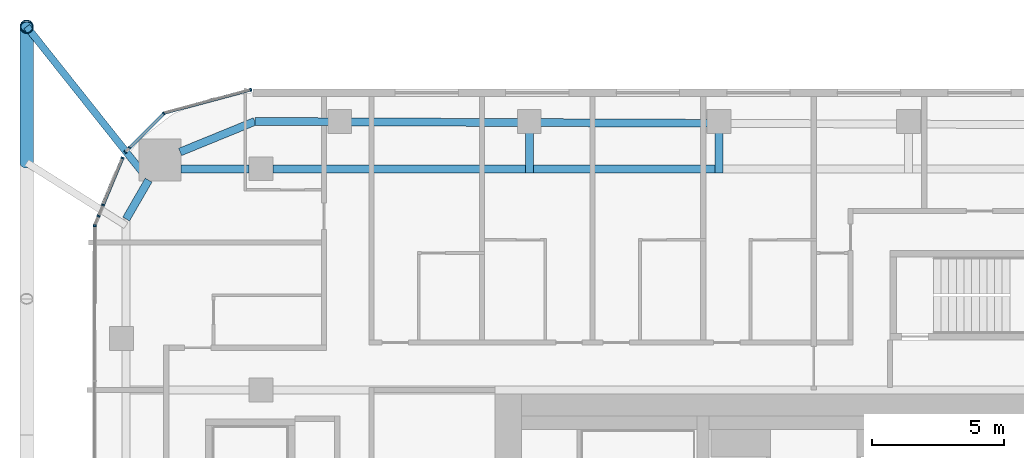
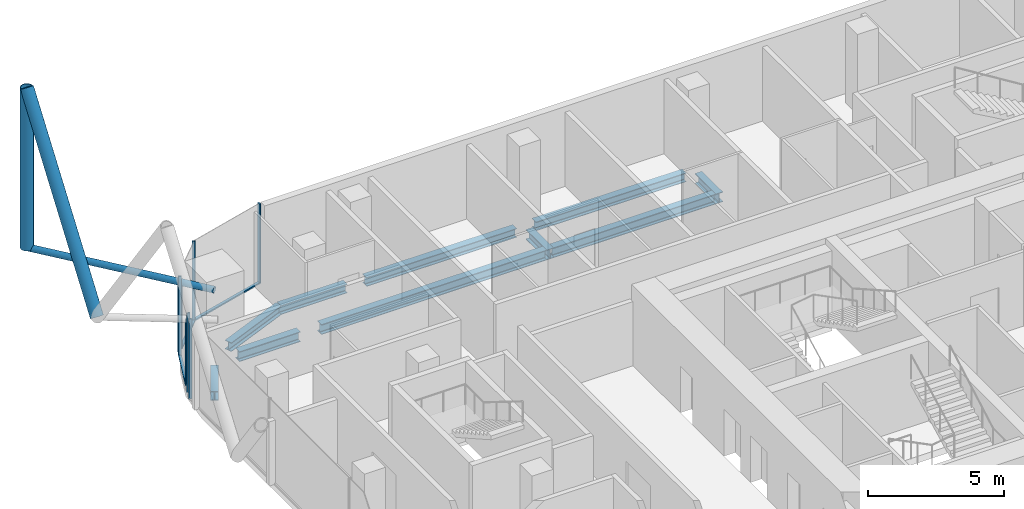
# One storey, part 11 of 36: 14 members, 10 beams, 7 elements without a shape of their own.
"""IFC4 building model written with IfcOpenShell, lengths in metres."""

from ifc_helpers import new_model, si_unit, direction, frame, origin, origin_2d, place, context, subcontext, project, spatial, rectangle, hollow_circle, i_section, extrude, material, layer, layer_set, material_profile, profile_set, type_object, element, aggregate, save


model = new_model("IFC4")

# Units and contexts
model_context = context("Model", 3, precision=1e-05, world=origin(), true_north=direction((0.0, 1.0)))
body_context = subcontext(model_context, "Body", "Model", "MODEL_VIEW")
ifc_project = project(units=[si_unit("LENGTHUNIT", "METRE"), si_unit("AREAUNIT", "SQUARE_METRE"), si_unit("VOLUMEUNIT", "CUBIC_METRE"), si_unit("PLANEANGLEUNIT", "RADIAN"), si_unit("MASSUNIT", "GRAM", prefix="KILO")], contexts=[model_context])

# Site, building, storey
site_placement = place(None, origin())
site = spatial("IfcSite", under=ifc_project, at=site_placement, CompositionType="ELEMENT")
building_placement = place(site_placement, origin())
building = spatial("IfcBuilding", under=site, at=building_placement, Name="Marenta Gate Hotel Tower", CompositionType="ELEMENT")
storey_placement = place(building_placement, frame((0.0, 0.0, 115.699951171875)))
storey = spatial("IfcBuildingStorey", under=building, at=storey_placement, Name="L25", CompositionType="ELEMENT", Elevation=115.699951171875)

# Members
ifc_material_1 = material(Name="Steel S355J2W", Category="steel")
ifc_material_profile_1 = material_profile(ifc_material_1, hollow_circle(Radius=0.25390625, WallThickness=0.02490234375, at=origin_2d()), Name="CHS 508x25")
ifc_profile_set_1 = profile_set([ifc_material_profile_1], Name="Steel S355J2W")
member_type_1 = type_object("IfcMemberType", Name="Diagrid corner post Z2 CHS 508x25", PredefinedType="POST", material=ifc_profile_set_1)
member_1_placement = place(storey_placement, frame((-29.89990234375, 30.60009765625, 3.14013671875), z_axis=(0.0, 0.0, 1.0), x_axis=(1.0, 0.0, 0.0)))
element("IfcMember", 1, at=member_1_placement, inside=storey, type_object=member_type_1, Name="L25-DR-6", PredefinedType="POST", context=body_context, shape_type="SweptSolid", body=[
    extrude(hollow_circle(Radius=0.25390625, WallThickness=0.02490234375, at=origin_2d()), origin(), (0.0, 0.0, 1.0), 7.199951171875),
])
ifc_material_2 = material(Name="Steel S355J2W", Category="steel")
ifc_material_profile_2 = material_profile(ifc_material_2, hollow_circle(Radius=0.25390625, WallThickness=0.0400390625, at=origin_2d()), Name="CHS 508x40")
ifc_profile_set_2 = profile_set([ifc_material_profile_2], Name="Steel S355J2W")
member_type_2 = type_object("IfcMemberType", Name="Diagrid diagonal Z2 CHS 508x40", PredefinedType="BRACE", material=ifc_profile_set_2)
member_2_placement = place(storey_placement, frame((-29.89990234375, 25.429931640625, 3.14013671875), z_axis=(0.0, 0.583279014058, 0.812271870595), x_axis=(-1.0, 0.0, 0.0)))
element("IfcMember", 2, at=member_2_placement, inside=storey, type_object=member_type_2, Name="L25-DG-34", PredefinedType="BRACE", context=body_context, shape_type="SweptSolid", body=[
    extrude(hollow_circle(Radius=0.25390625, WallThickness=0.0400390625, at=origin_2d()), origin(), (0.0, 0.0, 1.0), 8.864013671875),
])

# Beams
ifc_material_3 = material(Name="Steel S355", Category="steel")
ifc_material_profile_3 = material_profile(ifc_material_3, i_section(OverallWidth=0.300048828125, OverallDepth=0.39990234375, WebThickness=0.013427734375, FlangeThickness=0.02392578125, FilletRadius=0.027099609375, at=origin_2d()), Name="HEB 400")
ifc_profile_set_3 = profile_set([ifc_material_profile_3], Name="Steel S355")
beam_type_1 = type_object("IfcBeamType", Name="Edge beam HEB 400", PredefinedType="SPANDREL", material=ifc_profile_set_3)
beam_1_placement = place(storey_placement, frame((-26.121337890625, 23.291748046875, -0.4599609375), z_axis=(0.500015459501, 0.866016478054, 0.0), x_axis=(-0.866016478054, 0.500015459501, 0.0)))
element("IfcBeam", 3, at=beam_1_placement, inside=storey, type_object=beam_type_1, Name="L25-EB-11", PredefinedType="SPANDREL", context=body_context, shape_type="SweptSolid", body=[
    extrude(i_section(OverallWidth=0.300048828125, OverallDepth=0.39990234375, WebThickness=0.013427734375, FlangeThickness=0.02392578125, FilletRadius=0.027099609375, at=origin_2d()), origin(), (0.0, 0.0, 1.0), 1.70703125),
])
beam_2_placement = place(storey_placement, frame((-24.072509765625, 25.839111328125, -0.4599609375), z_axis=(0.925565978946, 0.378586342356, 0.0), x_axis=(-0.378586342356, 0.925565978946, 0.0)))
element("IfcBeam", 4, at=beam_2_placement, inside=storey, type_object=beam_type_1, Name="L25-EB-12", PredefinedType="SPANDREL", context=body_context, shape_type="SweptSolid", body=[
    extrude(i_section(OverallWidth=0.300048828125, OverallDepth=0.39990234375, WebThickness=0.013427734375, FlangeThickness=0.02392578125, FilletRadius=0.027099609375, at=origin_2d()), origin(), (0.0, 0.0, 1.0), 3.06640625),
])
beam_3_placement = place(storey_placement, frame((-21.234375, 27.0, -0.4599609375), z_axis=(0.999991706293, -0.004072756516, 0.0), x_axis=(0.004072756516, 0.999991706293, 0.0)))
element("IfcBeam", 5, at=beam_3_placement, inside=storey, type_object=beam_type_1, Name="L25-EB-13", PredefinedType="SPANDREL", context=body_context, shape_type="SweptSolid", body=[
    extrude(i_section(OverallWidth=0.300048828125, OverallDepth=0.39990234375, WebThickness=0.013427734375, FlangeThickness=0.02392578125, FilletRadius=0.027099609375, at=origin_2d()), origin(), (0.0, 0.0, 1.0), 2.8173828125),
])
beam_4_placement = place(storey_placement, frame((-17.596923828125, 26.985107421875, -0.4599609375), z_axis=(0.999991780748, -0.00405443424, 0.0), x_axis=(0.00405443424, 0.999991780748, 0.0)))
element("IfcBeam", 6, at=beam_4_placement, inside=storey, type_object=beam_type_1, Name="L25-EB-14", PredefinedType="SPANDREL", context=body_context, shape_type="SweptSolid", body=[
    extrude(i_section(OverallWidth=0.300048828125, OverallDepth=0.39990234375, WebThickness=0.013427734375, FlangeThickness=0.02392578125, FilletRadius=0.027099609375, at=origin_2d()), origin(), (0.0, 0.0, 1.0), 6.3828125),
])
beam_5_placement = place(storey_placement, frame((-10.39404296875, 26.955810546875, -0.4599609375), z_axis=(0.999991624297, -0.004092839529, 0.0), x_axis=(0.004092839529, 0.999991624297, 0.0)))
element("IfcBeam", 7, at=beam_5_placement, inside=storey, type_object=beam_type_1, Name="L25-EB-15", PredefinedType="SPANDREL", context=body_context, shape_type="SweptSolid", body=[
    extrude(i_section(OverallWidth=0.300048828125, OverallDepth=0.39990234375, WebThickness=0.013427734375, FlangeThickness=0.02392578125, FilletRadius=0.027099609375, at=origin_2d()), origin(), (0.0, 0.0, 1.0), 6.382568359375),
])

# Member
ifc_material_4 = material(Name="Steel S355J2W", Category="steel")
ifc_material_profile_4 = material_profile(ifc_material_4, hollow_circle(Radius=0.136474609375, WallThickness=0.012451171875, at=origin_2d()), Name="CHS 273x12.5")
ifc_profile_set_4 = profile_set([ifc_material_profile_4], Name="Steel S355J2W")
member_type_3 = type_object("IfcMemberType", Name="Floor tie CHS 273x12.5", PredefinedType="STRUT", material=ifc_profile_set_4)
member_3_placement = place(storey_placement, frame((-29.89990234375, 30.60009765625, 3.14013671875), z_axis=(0.622094046149, -0.782942525187, 0.0), x_axis=(0.782942525187, 0.622094046149, 0.0)))
element("IfcMember", 8, at=member_3_placement, inside=storey, type_object=member_type_3, Name="L25-DR-22", PredefinedType="STRUT", context=body_context, shape_type="SweptSolid", body=[
    extrude(hollow_circle(Radius=0.136474609375, WallThickness=0.012451171875, at=origin_2d()), origin(), (0.0, 0.0, 1.0), 7.43896484375),
])

# Beams
ifc_material_5 = material(Name="Steel S355", Category="steel")
ifc_material_profile_5 = material_profile(ifc_material_5, i_section(OverallWidth=0.300048828125, OverallDepth=0.449951171875, WebThickness=0.013916015625, FlangeThickness=0.02587890625, FilletRadius=0.027099609375, at=origin_2d()), Name="HEB 450")
ifc_profile_set_5 = profile_set([ifc_material_profile_5], Name="Steel S355")
beam_type_2 = type_object("IfcBeamType", Name="Girder HEB 450", PredefinedType="BEAM", material=ifc_profile_set_5)
beam_6_placement = place(storey_placement, frame((-24.035400390625, 25.199951171875, -0.48486328125), z_axis=(1.0, 0.0, 0.0), x_axis=(0.0, 1.0, 0.0)))
element("IfcBeam", 9, at=beam_6_placement, inside=storey, type_object=beam_type_2, Name="L25-GD-29", PredefinedType="BEAM", context=body_context, shape_type="SweptSolid", body=[
    extrude(i_section(OverallWidth=0.300048828125, OverallDepth=0.449951171875, WebThickness=0.013916015625, FlangeThickness=0.02587890625, FilletRadius=0.027099609375, at=origin_2d()), origin(), (0.0, 0.0, 1.0), 2.58544921875),
])
beam_7_placement = place(storey_placement, frame((-20.550048828125, 25.199951171875, -0.48486328125), z_axis=(1.0, 0.0, 0.0), x_axis=(0.0, 1.0, 0.0)))
element("IfcBeam", 10, at=beam_7_placement, inside=storey, type_object=beam_type_2, Name="L25-GD-30", PredefinedType="BEAM", context=body_context, shape_type="SweptSolid", body=[
    extrude(i_section(OverallWidth=0.300048828125, OverallDepth=0.449951171875, WebThickness=0.013916015625, FlangeThickness=0.02587890625, FilletRadius=0.027099609375, at=origin_2d()), origin(), (0.0, 0.0, 1.0), 9.595947265625),
])
beam_8_placement = place(storey_placement, frame((-10.654052734375, 25.199951171875, -0.48486328125), z_axis=(1.0, 0.0, 0.0), x_axis=(0.0, 1.0, 0.0)))
element("IfcBeam", 11, at=beam_8_placement, inside=storey, type_object=beam_type_2, Name="L25-GD-31", PredefinedType="BEAM", context=body_context, shape_type="SweptSolid", body=[
    extrude(i_section(OverallWidth=0.300048828125, OverallDepth=0.449951171875, WebThickness=0.013916015625, FlangeThickness=0.02587890625, FilletRadius=0.027099609375, at=origin_2d()), origin(), (0.0, 0.0, 1.0), 6.902587890625),
])
ifc_material_6 = material(Name="Steel S355", Category="steel")
ifc_material_profile_6 = material_profile(ifc_material_6, i_section(OverallWidth=0.300048828125, OverallDepth=0.449951171875, WebThickness=0.013916015625, FlangeThickness=0.02587890625, FilletRadius=0.027099609375, at=origin_2d()), Name="HEB 450")
ifc_profile_set_6 = profile_set([ifc_material_profile_6], Name="Steel S355")
beam_type_3 = type_object("IfcBeamType", Name="Girder bracket HEB 450", PredefinedType="BEAM", material=ifc_profile_set_6)
for number, where, z_axis, x_axis, name in (
    (12, (-10.80419921875, 25.050048828125, -0.48486328125), (0.0, 1.0, 0.0), (-1.0, 0.0, 0.0), "L25-GS-1"),
    (13, (-3.601318359375, 25.050048828125, -0.48486328125), (0.0, 1.0, 0.0), (-1.0, 0.0, 0.0), "L25-GS-2"),
):
    element("IfcBeam", number, at=place(storey_placement, frame(where, z_axis=z_axis, x_axis=x_axis)), inside=storey, type_object=beam_type_3, Name=name, PredefinedType="BEAM", context=body_context, shape_type="SweptSolid", body=[
        extrude(i_section(OverallWidth=0.300048828125, OverallDepth=0.449951171875, WebThickness=0.013916015625, FlangeThickness=0.02587890625, FilletRadius=0.027099609375, at=origin_2d()), origin(), (0.0, 0.0, 1.0), 1.5400390625),
    ])

# Curtain wall, member
ifc_material_7 = material(Name="Tinted insulated glass in bronze anodised frame", Category="glass")
ifc_layer = layer(ifc_material_7, 0.1201171875)
ifc_layer_set = layer_set([ifc_layer], Name="Tinted insulated glass in bronze anodised frame")
curtain_wall_type = type_object("IfcCurtainWallType", Name="Tower unitised curtain wall CW1", PredefinedType="NOTDEFINED", material=ifc_layer_set)
curtain_wall_1_placement = place(storey_placement, origin())
curtain_wall_1 = element("IfcCurtainWall", 14, at=curtain_wall_1_placement, inside=storey, type_object=curtain_wall_type, Name="CW1 run G00", PredefinedType="NOTDEFINED")
ifc_material_8 = material(Name="Bronze anodised aluminium", Category="aluminium")
ifc_material_profile_7 = material_profile(ifc_material_8, rectangle(XDim=0.1201171875, YDim=0.06005859375, at=origin_2d()), Name="Mullion CW1 60x120 bronze anodised aluminium")
ifc_profile_set_7 = profile_set([ifc_material_profile_7], Name="Bronze anodised aluminium")
member_type_4 = type_object("IfcMemberType", Name="Mullion CW1 60x120 bronze anodised aluminium", PredefinedType="MULLION", material=ifc_profile_set_7)
member_4_placement = place(storey_placement, frame((-21.385498046875, 28.203125, 0.0), z_axis=(0.0, 0.0, 1.0), x_axis=(0.258801234873, -0.96593059835, 0.0)))
member_4 = element("IfcMember", 15, at=member_4_placement, type_object=member_type_4, Name="CW1 mullion 1", PredefinedType="MULLION", context=body_context, shape_type="SweptSolid", body=[
    extrude(rectangle(XDim=0.1201171875, YDim=0.06005859375, at=origin_2d()), origin(), (0.0, 0.0, 1.0), 3.60009765625),
])

curtain_wall_2_placement = place(storey_placement, origin())
curtain_wall_2 = element("IfcCurtainWall", 16, at=curtain_wall_2_placement, inside=storey, type_object=curtain_wall_type, Name="CW1 run G01", PredefinedType="NOTDEFINED")
member_5_placement = place(storey_placement, frame((-24.68798828125, 27.302978515625, 0.0), z_axis=(0.0, 0.0, 1.0), x_axis=(0.707106781187, -0.707106781187, 0.0)))
member_5 = element("IfcMember", 17, at=member_5_placement, type_object=member_type_4, Name="CW1 mullion 1", PredefinedType="MULLION", context=body_context, shape_type="SweptSolid", body=[
    extrude(rectangle(XDim=0.1201171875, YDim=0.06005859375, at=origin_2d()), origin(), (0.0, 0.0, 1.0), 3.60009765625),
])

# Curtain wall, members
curtain_wall_3_placement = place(storey_placement, origin())
curtain_wall_3 = element("IfcCurtainWall", 18, at=curtain_wall_3_placement, inside=storey, type_object=curtain_wall_type, Name="CW1 run G02", PredefinedType="NOTDEFINED")
member_6_placement = place(storey_placement, frame((-25.992431640625, 25.998291015625, 0.0), z_axis=(0.0, 0.0, 1.0), x_axis=(0.707106781187, -0.707106781187, 0.0)))
member_6 = element("IfcMember", 19, at=member_6_placement, type_object=member_type_4, Name="CW1 mullion 1", PredefinedType="MULLION", context=body_context, shape_type="SweptSolid", body=[
    extrude(rectangle(XDim=0.1201171875, YDim=0.06005859375, at=origin_2d()), origin(), (0.0, 0.0, 1.0), 3.00048828125),
])
member_7_placement = place(storey_placement, frame((-26.151123046875, 25.839599609375, 0.0), z_axis=(0.0, 0.0, 1.0), x_axis=(0.707106781187, -0.707106781187, 0.0)))
member_7 = element("IfcMember", 20, at=member_7_placement, type_object=member_type_4, Name="CW1 mullion 2", PredefinedType="MULLION", context=body_context, shape_type="SweptSolid", body=[
    extrude(rectangle(XDim=0.1201171875, YDim=0.06005859375, at=origin_2d()), origin(), (0.0, 0.0, 1.0), 3.00048828125),
])
aggregate(curtain_wall_3, [member_6, member_7])

# Curtain wall, member
curtain_wall_4_placement = place(storey_placement, origin())
curtain_wall_4 = element("IfcCurtainWall", 21, at=curtain_wall_4_placement, inside=storey, type_object=curtain_wall_type, Name="CW1 run G03", PredefinedType="NOTDEFINED")
member_8_placement = place(storey_placement, frame((-26.25830078125, 25.610595703125, 0.0), z_axis=(0.0, 0.0, 1.0), x_axis=(0.923875335632, -0.382693564371, 0.0)))
member_8 = element("IfcMember", 22, at=member_8_placement, type_object=member_type_4, Name="CW1 mullion 1", PredefinedType="MULLION", context=body_context, shape_type="SweptSolid", body=[
    extrude(rectangle(XDim=0.1201171875, YDim=0.06005859375, at=origin_2d()), origin(), (0.0, 0.0, 1.0), 3.60009765625),
])

curtain_wall_5_placement = place(storey_placement, origin())
curtain_wall_5 = element("IfcCurtainWall", 23, at=curtain_wall_5_placement, inside=storey, type_object=curtain_wall_type, Name="CW1 run G04", PredefinedType="NOTDEFINED")
member_9_placement = place(storey_placement, frame((-26.996826171875, 23.827880859375, 0.0), z_axis=(0.0, 0.0, 1.0), x_axis=(0.923815303293, -0.382838458625, 0.0)))
member_9 = element("IfcMember", 24, at=member_9_placement, type_object=member_type_4, Name="CW1 mullion 1", PredefinedType="MULLION", context=body_context, shape_type="SweptSolid", body=[
    extrude(rectangle(XDim=0.1201171875, YDim=0.06005859375, at=origin_2d()), origin(), (0.0, 0.0, 1.0), 3.00048828125),
])
aggregate(curtain_wall_5, [member_9])

curtain_wall_6_placement = place(storey_placement, origin())
curtain_wall_6 = element("IfcCurtainWall", 25, at=curtain_wall_6_placement, inside=storey, type_object=curtain_wall_type, Name="CW1 run G05", PredefinedType="NOTDEFINED")
member_10_placement = place(storey_placement, frame((-27.1728515625, 23.4033203125, 0.0), z_axis=(0.0, 0.0, 1.0), x_axis=(0.923973627119, -0.382456188848, 0.0)))
member_10 = element("IfcMember", 26, at=member_10_placement, type_object=member_type_4, Name="CW1 mullion 1", PredefinedType="MULLION", context=body_context, shape_type="SweptSolid", body=[
    extrude(rectangle(XDim=0.1201171875, YDim=0.06005859375, at=origin_2d()), origin(), (0.0, 0.0, 1.0), 3.60009765625),
])
aggregate(curtain_wall_6, [member_10])

curtain_wall_7_placement = place(storey_placement, origin())
curtain_wall_7 = element("IfcCurtainWall", 27, at=curtain_wall_7_placement, inside=storey, type_object=curtain_wall_type, Name="CW1 run G06", PredefinedType="NOTDEFINED")
member_11_placement = place(storey_placement, frame((-27.312255859375, 23.0361328125, 0.0), z_axis=(0.0, 0.0, 1.0), x_axis=(0.999998768051, -0.001569680138, 0.0)))
member_11 = element("IfcMember", 28, at=member_11_placement, type_object=member_type_4, Name="CW1 mullion 1", PredefinedType="MULLION", context=body_context, shape_type="SweptSolid", body=[
    extrude(rectangle(XDim=0.1201171875, YDim=0.06005859375, at=origin_2d()), origin(), (0.0, 0.0, 1.0), 3.60009765625),
])
aggregate(curtain_wall_7, [member_11])

# Member
ifc_material_9 = material(Name="Bronze anodised aluminium", Category="aluminium")
ifc_material_profile_8 = material_profile(ifc_material_9, rectangle(XDim=0.1201171875, YDim=0.06005859375, at=origin_2d()), Name="Transom CW1 60x120 bronze anodised aluminium")
ifc_profile_set_8 = profile_set([ifc_material_profile_8], Name="Bronze anodised aluminium")
member_type_5 = type_object("IfcMemberType", Name="Transom CW1 60x120 bronze anodised aluminium", PredefinedType="USERDEFINED", material=ifc_profile_set_8)
member_12_placement = place(storey_placement, frame((-21.41455078125, 28.195556640625, 0.030029296875), z_axis=(-0.965932192411, -0.258795285243, 0.0), x_axis=(0.258795285243, -0.965932192411, 0.0)))
member_12 = element("IfcMember", 29, at=member_12_placement, type_object=member_type_5, Name="CW1 transom 1.1", ObjectType="TRANSOM", PredefinedType="USERDEFINED", context=body_context, shape_type="SweptSolid", body=[
    extrude(rectangle(XDim=0.1201171875, YDim=0.06005859375, at=origin_2d()), origin(), (0.0, 0.0, 1.0), 3.366943359375),
])

aggregate(curtain_wall_1, [member_4, member_12])

member_13_placement = place(storey_placement, frame((-24.709228515625, 27.28173828125, 0.030029296875), z_axis=(-0.707038385696, -0.707175170062, 0.0), x_axis=(0.707175170062, -0.707038385696, 0.0)))
member_13 = element("IfcMember", 30, at=member_13_placement, type_object=member_type_5, Name="CW1 transom 1.1", ObjectType="TRANSOM", PredefinedType="USERDEFINED", context=body_context, shape_type="SweptSolid", body=[
    extrude(rectangle(XDim=0.1201171875, YDim=0.06005859375, at=origin_2d()), origin(), (0.0, 0.0, 1.0), 1.784912109375),
])

aggregate(curtain_wall_2, [member_5, member_13])

member_14_placement = place(storey_placement, frame((-26.269775390625, 25.582763671875, 0.030029296875), z_axis=(-0.38277854418, -0.923840130171, 0.0), x_axis=(0.923840130171, -0.38277854418, 0.0)))
member_14 = element("IfcMember", 31, at=member_14_placement, type_object=member_type_5, Name="CW1 transom 1.1", ObjectType="TRANSOM", PredefinedType="USERDEFINED", context=body_context, shape_type="SweptSolid", body=[
    extrude(rectangle(XDim=0.1201171875, YDim=0.06005859375, at=origin_2d()), origin(), (0.0, 0.0, 1.0), 1.869384765625),
])

aggregate(curtain_wall_4, [member_8, member_14])

save(model, "model.ifc")
